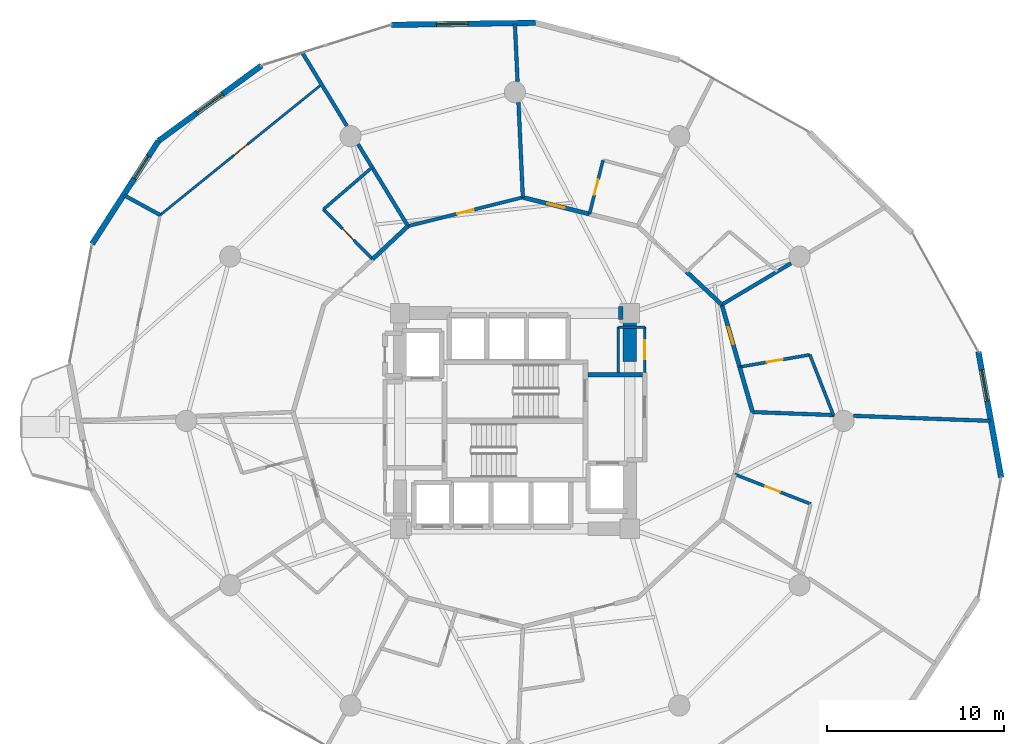
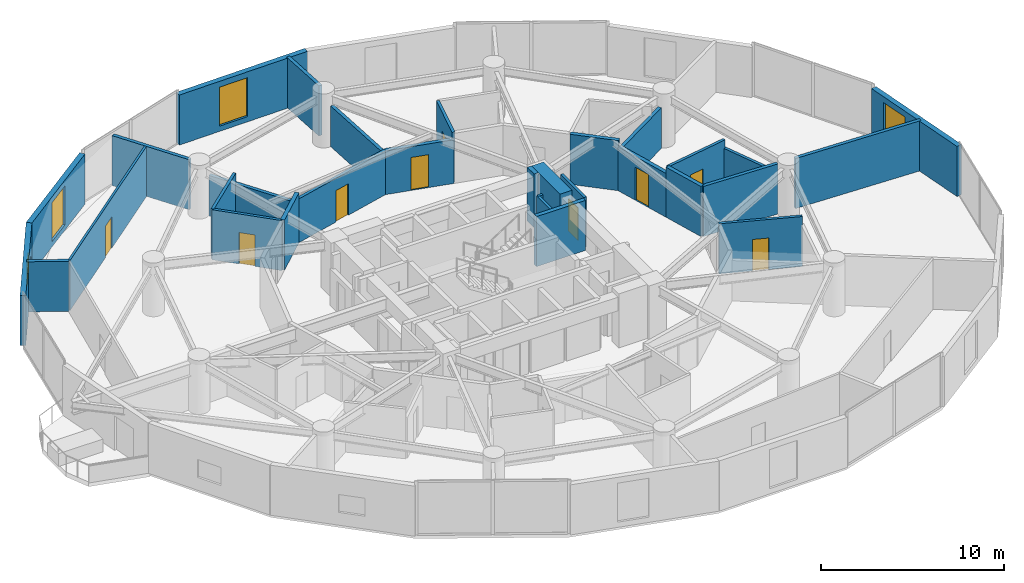
# One storey, part 19 of 22: 31 walls, 9 doors, 4 windows, 13 openings.
"""IFC4 building model written with IfcOpenShell, lengths in metres."""

import ifcopenshell
import ifcopenshell.guid

model = None  # the IFC model being written
_history = None  # IfcOwnerHistory: only IFC2X3 demands one
_inside = {}  # id of a spatial element -> (the spatial element, [elements in it])
_under = {}  # id of a project, library or spatial element -> (it, [spatial elements below it])
_declared = {}  # id of a project -> (the project, [libraries it declares])
_typed = {}  # id of a type object -> (the type object, [elements of that type])
_made_of = {}  # id of a material, layer set ... -> (it, [elements and type objects made of it])


def new_model(schema):
    """Start an empty IFC model of exactly this schema.

    Asked for "IFC4X3", IfcOpenShell would pick the latest addendum, in which some entities
    have other attributes; the version numbers below select the first issue.
    IFC2X3 requires an IfcOwnerHistory on every rooted entity: one is made here for all.
    """
    global model, _history
    if schema == "IFC4X3":
        model = ifcopenshell.file(schema_version=(4, 3, 0, 0))
    else:
        model = ifcopenshell.file(schema=schema)
    _inside.clear()
    _under.clear()
    _declared.clear()
    _typed.clear()
    _made_of.clear()
    _history = None
    if model.schema == "IFC2X3":
        org = make("IfcOrganization", Name="unknown")
        user = make(
            "IfcPersonAndOrganization",
            ThePerson=make("IfcPerson", FamilyName="unknown"),
            TheOrganization=org,
        )
        app = make(
            "IfcApplication",
            ApplicationDeveloper=org,
            Version="unknown",
            ApplicationFullName="unknown",
            ApplicationIdentifier="unknown",
        )
        _history = make(
            "IfcOwnerHistory",
            OwningUser=user,
            OwningApplication=app,
            ChangeAction="ADDED",
            CreationDate=0,
        )
    return model


def make(cls, **values):
    """One entity of the class cls with the attributes given. An attribute that is None is left unset."""
    return model.create_entity(
        cls, **{name: value for name, value in values.items() if value is not None}
    )


def rooted(cls, **values):
    """An entity with a GlobalId (a new one), such as an element, a storey or a relation."""
    return make(cls, GlobalId=ifcopenshell.guid.new(), OwnerHistory=_history, **values)


def si_unit(unit_type, name, prefix=None):
    """IfcSIUnit, for example si_unit("LENGTHUNIT", "METRE", prefix="MILLI")."""
    return make("IfcSIUnit", UnitType=unit_type, Prefix=prefix, Name=name)


def assignment(units):
    """IfcUnitAssignment: the units of a project."""
    return None if units is None else make("IfcUnitAssignment", Units=units)


def point(xyz):
    """IfcCartesianPoint."""
    return None if xyz is None else make("IfcCartesianPoint", Coordinates=xyz)


def direction(xyz):
    """IfcDirection."""
    return None if xyz is None else make("IfcDirection", DirectionRatios=xyz)


def frame(location, z_axis=None, x_axis=None):
    """IfcAxis2Placement3D, a coordinate frame: its origin and axes. An axis left out is left unset."""
    return make(
        "IfcAxis2Placement3D",
        Location=point(location),
        Axis=direction(z_axis),
        RefDirection=direction(x_axis),
    )


def frame_2d(location, x_axis=None):
    """IfcAxis2Placement2D, a coordinate frame in the plane: its origin and x axis."""
    return make(
        "IfcAxis2Placement2D", Location=point(location), RefDirection=direction(x_axis)
    )


def origin():
    """The frame at (0, 0, 0) with its axes left unset."""
    return frame((0.0, 0.0, 0.0))


def place(relative_to, where):
    """IfcLocalPlacement: puts the frame where relative to a parent placement (None: the world)."""
    return make(
        "IfcLocalPlacement", PlacementRelTo=relative_to, RelativePlacement=where
    )


def context(
    kind, dimensions, precision=None, world=None, true_north=None, identifier=None
):
    """IfcGeometricRepresentationContext, for example the 3D "Model" context."""
    return make(
        "IfcGeometricRepresentationContext",
        ContextIdentifier=identifier,
        ContextType=kind,
        CoordinateSpaceDimension=dimensions,
        Precision=precision,
        WorldCoordinateSystem=world,
        TrueNorth=true_north,
    )


def subcontext(parent, identifier, kind, view, scale=None):
    """IfcGeometricRepresentationSubContext, for example "Body" below "Model"."""
    return make(
        "IfcGeometricRepresentationSubContext",
        ContextIdentifier=identifier,
        ContextType=kind,
        ParentContext=parent,
        TargetScale=scale,
        TargetView=view,
    )


def project(units=None, contexts=None):
    """IfcProject with its units and contexts."""
    return rooted(
        "IfcProject",
        Name="project",
        RepresentationContexts=contexts,
        UnitsInContext=assignment(units),
    )


def spatial(cls, under=None, at=None, **own):
    """A site, building, storey or space (cls), placed at a placement, below another one or the project."""
    s = rooted(cls, ObjectPlacement=at, **own)
    if under is not None:
        _under.setdefault(under.id(), (under, []))[1].append(s)
    return s


def profile(cls, at=None, kind="AREA", **sizes):
    """A parametric profile (cls). Its sizes go by their IFC names, for example OverallWidth=200.0."""
    return make(cls, ProfileType=kind, Position=at, **sizes)


def rectangle(**sizes):
    """IfcRectangleProfileDef."""
    return profile("IfcRectangleProfileDef", **sizes)


def extrude(swept, where, along, depth):
    """IfcExtrudedAreaSolid: the profile swept, set in the frame where, extruded along a direction by depth."""
    return make(
        "IfcExtrudedAreaSolid",
        SweptArea=swept,
        Position=where,
        ExtrudedDirection=direction(along),
        Depth=depth,
    )


def shape(context_of_items, identifier, shape_type, items):
    """IfcShapeRepresentation: the items that make up one representation, for example the "Body"."""
    return make(
        "IfcShapeRepresentation",
        ContextOfItems=context_of_items,
        RepresentationIdentifier=identifier,
        RepresentationType=shape_type,
        Items=items,
    )


def material(Name=None, Category=None):
    """IfcMaterial."""
    return make("IfcMaterial", Name=Name, Category=Category)


def layer(
    of_material, thickness, ventilated=None, Name=None, Category=None, Priority=None
):
    """IfcMaterialLayer: one layer of a wall or slab, of a material (None: an air gap)."""
    return make(
        "IfcMaterialLayer",
        Material=of_material,
        LayerThickness=thickness,
        IsVentilated=ventilated,
        Name=Name,
        Category=Category,
        Priority=Priority,
    )


def layer_set(layers, Name=None):
    """IfcMaterialLayerSet."""
    return make("IfcMaterialLayerSet", MaterialLayers=layers, LayerSetName=Name)


def made_of(thing, what):
    """Note that an element or type object is made of a material, layer set ...; save() writes the relation."""
    if what is not None:
        _made_of.setdefault(what.id(), (what, []))[1].append(thing)
    return thing


def type_object(cls, material=None, **own):
    """A type object (cls), such as IfcWallType, which elements share."""
    return made_of(rooted(cls, **own), material)


def element(
    cls,
    number,
    at=None,
    inside=None,
    cuts=None,
    type_object=None,
    material=None,
    context=None,
    identifier="Body",
    shape_type=None,
    held_by="IfcProductDefinitionShape",
    body=None,
    shapes=None,
    **own,
):
    """One element of the class cls, such as IfcWall. Its Tag is "e" and its number.

    at: its placement. inside: the storey or other place that contains it. cuts: it is an
    opening in that element (IfcRelVoidsElement). A single representation is given by context,
    identifier, shape_type and body (its items); several are given by shapes. held_by: the class
    of the entity that holds the representations. save() writes the other relations.
    """
    e = rooted(cls, Tag="e%d" % number, ObjectPlacement=at, **own)
    if body is not None:
        shapes = [shape(context, identifier, shape_type, body)]
    if shapes is not None:
        e.Representation = make(held_by, Representations=shapes)
    if inside is not None:
        _inside.setdefault(inside.id(), (inside, []))[1].append(e)
    if cuts is not None:
        rooted(
            "IfcRelVoidsElement", RelatingBuildingElement=cuts, RelatedOpeningElement=e
        )
    if type_object is not None:
        _typed.setdefault(type_object.id(), (type_object, []))[1].append(e)
    return made_of(e, material)


def fill(opening, filler):
    """IfcRelFillsElement: the door or window that sits in an opening."""
    return rooted(
        "IfcRelFillsElement",
        RelatingOpeningElement=opening,
        RelatedBuildingElement=filler,
    )


def aggregate(whole, parts):
    """IfcRelAggregates: a whole, such as a stair, and the parts it consists of."""
    return rooted("IfcRelAggregates", RelatingObject=whole, RelatedObjects=parts)


def save(model, path):
    """Write the relations noted so far, then the file.

    IfcRelAggregates (storeys below a building ...), IfcRelContainedInSpatialStructure (elements
    in a storey), IfcRelDefinesByType, IfcRelAssociatesMaterial and IfcRelDeclares: one each for
    every whole, place, type object, material and project.
    """
    for whole, parts in _under.values():
        aggregate(whole, parts)
    for where, things in _inside.values():
        rooted(
            "IfcRelContainedInSpatialStructure",
            RelatedElements=things,
            RelatingStructure=where,
        )
    for kind, things in _typed.values():
        rooted("IfcRelDefinesByType", RelatedObjects=things, RelatingType=kind)
    for what, things in _made_of.values():
        rooted("IfcRelAssociatesMaterial", RelatedObjects=things, RelatingMaterial=what)
    for by, libraries in _declared.values():
        rooted("IfcRelDeclares", RelatingContext=by, RelatedDefinitions=libraries)
    model.write(path)


model = new_model("IFC4")

# Units and contexts
model_context = context("Model", 3, precision=1e-05, world=origin(), true_north=direction((0.0, 1.0)))
body_context = subcontext(model_context, "Body", "Model", "MODEL_VIEW")
ifc_project = project(units=[si_unit("LENGTHUNIT", "METRE"), si_unit("AREAUNIT", "SQUARE_METRE"), si_unit("VOLUMEUNIT", "CUBIC_METRE"), si_unit("PLANEANGLEUNIT", "RADIAN"), si_unit("MASSUNIT", "GRAM", prefix="KILO")], contexts=[model_context])

# Site, building, storey
site_placement = place(None, origin())
site = spatial("IfcSite", under=ifc_project, at=site_placement, CompositionType="ELEMENT")
building_placement = place(site_placement, origin())
building = spatial("IfcBuilding", under=site, at=building_placement, Name="Solvirekh Grand Hotel", CompositionType="ELEMENT")
storey_placement = place(building_placement, frame((0.0, 0.0, 78.800048828125)))
storey = spatial("IfcBuildingStorey", under=building, at=storey_placement, Name="L19", CompositionType="ELEMENT", Elevation=78.800048828125)

# Walls
ifc_material_1 = material(Name="Concrete C60/75", Category="concrete")
ifc_layer_1 = layer(ifc_material_1, 0.75)
ifc_layer_set_1 = layer_set([ifc_layer_1], Name="Concrete C60/75")
wall_type_1 = type_object("IfcWallType", Name="CoreWall_RC750", PredefinedType="SHEAR", material=ifc_layer_set_1)
wall_1_placement = place(storey_placement, frame((5.85009765625, 6.10009765625, 0.0), z_axis=(0.0, 0.0, 1.0), x_axis=(1.0, 0.0, 0.0)))
element("IfcWall", 1, at=wall_1_placement, inside=storey, type_object=wall_type_1, Name="L19 core corner shear wall NE-N", PredefinedType="SHEAR", context=body_context, shape_type="SweptSolid", body=[
    extrude(rectangle(XDim=0.27490234375, YDim=0.75, at=frame_2d((0.137451171875, 0.0))), origin(), (0.0, 0.0, 1.0), 3.599853515625),
])
wall_2_placement = place(storey_placement, frame((6.5, 3.35009765625, 0.0), z_axis=(0.0, 0.0, 1.0), x_axis=(0.0, 1.0, 0.0)))
element("IfcWall", 2, at=wall_2_placement, inside=storey, type_object=wall_type_1, Name="L19 core corner shear wall EN-E", PredefinedType="SHEAR", context=body_context, shape_type="SweptSolid", body=[
    extrude(rectangle(XDim=3.125, YDim=0.75, at=frame_2d((1.5625, 0.0))), origin(), (0.0, 0.0, 1.0), 3.599853515625),
])

# Wall, opening, window
ifc_material_2 = material(Name="Precast concrete C45/55", Category="concrete")
ifc_layer_2 = layer(ifc_material_2, 0.320068359375)
ifc_layer_set_2 = layer_set([ifc_layer_2], Name="Precast concrete C45/55")
wall_type_2 = type_object("IfcWallType", Name="ExtLobbyWall_RC320", PredefinedType="SOLIDWALL", material=ifc_layer_set_2)
wall_3_placement = place(storey_placement, frame((26.23095703125, 3.912109375, 0.0), z_axis=(0.0, 0.0, 1.0), x_axis=(0.178065653106, -0.984018609165, 0.0)))
wall_3 = element("IfcWall", 3, at=wall_3_placement, inside=storey, type_object=wall_type_2, Name="L19 exterior structural wall chord 2", PredefinedType="SOLIDWALL", context=body_context, shape_type="SweptSolid", body=[
    extrude(rectangle(XDim=7.23388671875, YDim=0.320068359375, at=frame_2d((3.616943359375, 0.0))), origin(), (0.0, 0.0, 1.0), 3.33984375),
])
opening_1_placement = place(wall_3_placement, frame((1.033935546875, 0.0, 0.35009765625)))
opening_1 = element("IfcOpeningElement", 4, at=opening_1_placement, cuts=wall_3, Name="Opening W02", PredefinedType="OPENING", context=body_context, shape_type="SweptSolid", body=[
    extrude(rectangle(XDim=1.800048828125, YDim=2.60009765625, at=frame_2d((0.89990234375, 1.300048828125))), frame((0.0, 0.169921875, 0.0), z_axis=(0.0, -1.0, 0.0), x_axis=(1.0, 0.0, 0.0)), (0.0, 0.0, 1.0), 0.340087890625),
])
ifc_material_3 = material(Name="Low-E Tinted Bronze Laminated Glass", Category="aluminium")
window_type_1 = type_object("IfcWindowType", Name="Win_LobbyExt_1800X2600", PartitioningType="SINGLE_PANEL", PredefinedType="WINDOW", material=ifc_material_3)
window_1_placement = place(opening_1_placement, origin())
window_1 = element("IfcWindow", 5, at=window_1_placement, inside=storey, type_object=window_type_1, Name="L19 panoramic bronze-framed window 2", OverallHeight=2.60009765625, OverallWidth=1.800048828125, PartitioningType="SINGLE_PANEL", PredefinedType="WINDOW", context=body_context, shape_type="SweptSolid", body=[
    extrude(rectangle(XDim=1.800048828125, YDim=2.60009765625, at=frame_2d((0.89990234375, 1.300048828125))), frame((0.0, 0.030029296875, 0.0), z_axis=(0.0, -1.0, 0.0), x_axis=(1.0, 0.0, 0.0)), (0.0, 0.0, 1.0), 0.06005859375),
])
fill(opening_1, window_1)

wall_4_placement = place(storey_placement, frame((-6.990966796875, 22.4140625, 0.0), z_axis=(0.0, 0.0, 1.0), x_axis=(0.999907508711, 0.013600515578, 0.0)))
wall_4 = element("IfcWall", 6, at=wall_4_placement, inside=storey, type_object=wall_type_2, Name="L19 exterior structural wall chord 7", PredefinedType="SOLIDWALL", context=body_context, shape_type="SweptSolid", body=[
    extrude(rectangle(XDim=8.149658203125, YDim=0.320068359375, at=frame_2d((4.07470703125, 0.0))), origin(), (0.0, 0.0, 1.0), 3.33984375),
])
opening_2_placement = place(wall_4_placement, frame((2.5458984375, 0.0, 0.35009765625)))
opening_2 = element("IfcOpeningElement", 7, at=opening_2_placement, cuts=wall_4, Name="Opening W02", PredefinedType="OPENING", context=body_context, shape_type="SweptSolid", body=[
    extrude(rectangle(XDim=1.800048828125, YDim=2.60009765625, at=frame_2d((0.89990234375, 1.300048828125))), frame((0.0, 0.169921875, 0.0), z_axis=(0.0, -1.0, 0.0), x_axis=(1.0, 0.0, 0.0)), (0.0, 0.0, 1.0), 0.340087890625),
])
window_2_placement = place(opening_2_placement, origin())
window_2 = element("IfcWindow", 8, at=window_2_placement, inside=storey, type_object=window_type_1, Name="L19 panoramic bronze-framed window 7", OverallHeight=2.60009765625, OverallWidth=1.800048828125, PartitioningType="SINGLE_PANEL", PredefinedType="WINDOW", context=body_context, shape_type="SweptSolid", body=[
    extrude(rectangle(XDim=1.800048828125, YDim=2.60009765625, at=frame_2d((0.89990234375, 1.300048828125))), frame((0.0, 0.030029296875, 0.0), z_axis=(0.0, -1.0, 0.0), x_axis=(1.0, 0.0, 0.0)), (0.0, 0.0, 1.0), 0.06005859375),
])
fill(opening_2, window_2)

wall_5_placement = place(storey_placement, frame((-20.178955078125, 15.8330078125, 0.0), z_axis=(0.0, 0.0, 1.0), x_axis=(0.806720320821, 0.59093343447, 0.0)))
wall_5 = element("IfcWall", 9, at=wall_5_placement, inside=storey, type_object=wall_type_2, Name="L19 exterior structural wall chord 9", PredefinedType="SOLIDWALL", context=body_context, shape_type="SweptSolid", body=[
    extrude(rectangle(XDim=7.234130859375, YDim=0.320068359375, at=frame_2d((3.6171875, 0.0))), origin(), (0.0, 0.0, 1.0), 3.33984375),
])
opening_3_placement = place(wall_5_placement, frame((2.717041015625, 0.0, 0.35009765625)))
opening_3 = element("IfcOpeningElement", 10, at=opening_3_placement, cuts=wall_5, Name="Opening W02", PredefinedType="OPENING", context=body_context, shape_type="SweptSolid", body=[
    extrude(rectangle(XDim=1.800048828125, YDim=2.60009765625, at=frame_2d((0.89990234375, 1.300048828125))), frame((0.0, 0.169921875, 0.0), z_axis=(0.0, -1.0, 0.0), x_axis=(1.0, 0.0, 0.0)), (0.0, 0.0, 1.0), 0.340087890625),
])
window_3_placement = place(opening_3_placement, origin())
window_3 = element("IfcWindow", 11, at=window_3_placement, inside=storey, type_object=window_type_1, Name="L19 panoramic bronze-framed window 9", OverallHeight=2.60009765625, OverallWidth=1.800048828125, PartitioningType="SINGLE_PANEL", PredefinedType="WINDOW", context=body_context, shape_type="SweptSolid", body=[
    extrude(rectangle(XDim=1.800048828125, YDim=2.60009765625, at=frame_2d((0.89990234375, 1.300048828125))), frame((0.0, 0.030029296875, 0.0), z_axis=(0.0, -1.0, 0.0), x_axis=(1.0, 0.0, 0.0)), (0.0, 0.0, 1.0), 0.06005859375),
])
fill(opening_3, window_3)

wall_6_placement = place(storey_placement, frame((-23.926025390625, 10.009033203125, 0.0), z_axis=(0.0, 0.0, 1.0), x_axis=(0.541072927061, 0.840975675987, 0.0)))
wall_6 = element("IfcWall", 12, at=wall_6_placement, inside=storey, type_object=wall_type_2, Name="L19 cantilevered deck support wall chord 10", PredefinedType="SOLIDWALL", context=body_context, shape_type="SweptSolid", body=[
    extrude(rectangle(XDim=6.92529296875, YDim=0.320068359375, at=frame_2d((3.462646484375, 0.0))), origin(), (0.0, 0.0, 1.0), 3.33984375),
])
opening_4_placement = place(wall_6_placement, frame((4.4130859375, 0.0, 0.85009765625)))
opening_4 = element("IfcOpeningElement", 13, at=opening_4_placement, cuts=wall_6, Name="Opening W05", PredefinedType="OPENING", context=body_context, shape_type="SweptSolid", body=[
    extrude(rectangle(XDim=1.5, YDim=1.199951171875, at=frame_2d((0.75, 0.60009765625))), frame((0.0, 0.169921875, 0.0), z_axis=(0.0, -1.0, 0.0), x_axis=(1.0, 0.0, 0.0)), (0.0, 0.0, 1.0), 0.340087890625),
])
window_type_2 = type_object("IfcWindowType", Name="Win_PlantVent_1500X1200", PartitioningType="SINGLE_PANEL", PredefinedType="WINDOW", material=ifc_material_3)
window_4_placement = place(opening_4_placement, origin())
window_4 = element("IfcWindow", 14, at=window_4_placement, inside=storey, type_object=window_type_2, Name="L19 bronze-framed vision ribbon window 10", OverallHeight=1.199951171875, OverallWidth=1.5, PartitioningType="SINGLE_PANEL", PredefinedType="WINDOW", context=body_context, shape_type="SweptSolid", body=[
    extrude(rectangle(XDim=1.5, YDim=1.199951171875, at=frame_2d((0.75, 0.60009765625))), frame((0.0, 0.030029296875, 0.0), z_axis=(0.0, -1.0, 0.0), x_axis=(1.0, 0.0, 0.0)), (0.0, 0.0, 1.0), 0.06005859375),
])
fill(opening_4, window_4)

# Wall, opening, door
ifc_material_4 = material(Name="Acoustic Gypsum Partition Assembly")
ifc_layer_3 = layer(ifc_material_4, 0.1650390625)
ifc_layer_set_3 = layer_set([ifc_layer_3], Name="Acoustic Gypsum Partition Assembly")
wall_type_3 = type_object("IfcWallType", Name="Part_BOH_165", PredefinedType="PARTITIONING", material=ifc_layer_set_3)
wall_7_placement = place(storey_placement, frame((7.35009765625, 2.75, 0.0), z_axis=(0.0, 0.0, 1.0), x_axis=(0.0, 1.0, 0.0)))
wall_7 = element("IfcWall", 15, at=wall_7_placement, inside=storey, type_object=wall_type_3, Name="L19 L19 Telecom Distribution Room wall 2", PredefinedType="PARTITIONING", context=body_context, shape_type="SweptSolid", body=[
    extrude(rectangle(XDim=2.550048828125, YDim=0.1650390625, at=frame_2d((1.27490234375, 0.0))), origin(), (0.0, 0.0, 1.0), 3.33984375),
])
opening_5_placement = place(wall_7_placement, frame((0.75, 0.0, 0.0)))
opening_5 = element("IfcOpeningElement", 16, at=opening_5_placement, cuts=wall_7, Name="Opening D12", PredefinedType="OPENING", context=body_context, shape_type="SweptSolid", body=[
    extrude(rectangle(XDim=1.050048828125, YDim=2.14990234375, at=frame_2d((0.52490234375, 1.074951171875))), frame((0.0, 0.092529296875, 0.0), z_axis=(0.0, -1.0, 0.0), x_axis=(1.0, 0.0, 0.0)), (0.0, 0.0, 1.0), 0.18505859375),
])
ifc_material_5 = material(Name="Fire-Rated Steel Door Assembly", Category="steel")
door_type_1 = type_object("IfcDoorType", Name="Door_PlantBOH_1050X2150", OperationType="NOTDEFINED", PredefinedType="DOOR", material=ifc_material_5)
door_1_placement = place(opening_5_placement, origin())
door_1 = element("IfcDoor", 17, at=door_1_placement, inside=storey, type_object=door_type_1, Name="L19 L19 Telecom Distribution Room door", OperationType="SINGLE_SWING_RIGHT", OverallHeight=2.14990234375, OverallWidth=1.050048828125, PredefinedType="DOOR", context=body_context, shape_type="SweptSolid", body=[
    extrude(rectangle(XDim=1.050048828125, YDim=2.14990234375, at=frame_2d((0.52490234375, 1.074951171875))), frame((0.0, 0.02490234375, 0.0), z_axis=(0.0, -1.0, 0.0), x_axis=(1.0, 0.0, 0.0)), (0.0, 0.0, 1.0), 0.050048828125),
])
fill(opening_5, door_1)

# Walls
wall_8_placement = place(storey_placement, frame((7.35009765625, 5.300048828125, 0.0), z_axis=(0.0, 0.0, 1.0), x_axis=(-1.0, 0.0, 0.0)))
element("IfcWall", 18, at=wall_8_placement, inside=storey, type_object=wall_type_3, Name="L19 L19 Telecom Distribution Room wall 3", PredefinedType="PARTITIONING", context=body_context, shape_type="SweptSolid", body=[
    extrude(rectangle(XDim=1.5, YDim=0.1650390625, at=frame_2d((0.75, 0.0))), origin(), (0.0, 0.0, 1.0), 2.425048828125),
])
wall_9_placement = place(storey_placement, frame((5.85009765625, 5.300048828125, 0.0), z_axis=(0.0, 0.0, 1.0), x_axis=(0.0, -1.0, 0.0)))
element("IfcWall", 19, at=wall_9_placement, inside=storey, type_object=wall_type_3, Name="L19 L19 Telecom Distribution Room wall 4", PredefinedType="PARTITIONING", context=body_context, shape_type="SweptSolid", body=[
    extrude(rectangle(XDim=2.550048828125, YDim=0.1650390625, at=frame_2d((1.27490234375, 0.0))), origin(), (0.0, 0.0, 1.0), 2.425048828125),
])
ifc_layer_4 = layer(ifc_material_4, 0.239990234375)
ifc_layer_set_4 = layer_set([ifc_layer_4], Name="Acoustic Gypsum Partition Assembly")
wall_type_4 = type_object("IfcWallType", Name="Part_Corridor_240", PredefinedType="PARTITIONING", material=ifc_layer_set_4)
wall_10_placement = place(storey_placement, frame((-6.050048828125, 11.02197265625, 0.0), z_axis=(0.0, 0.0, 1.0), x_axis=(-0.730494026404, -0.682919085535, 0.0)))
element("IfcWall", 20, at=wall_10_placement, inside=storey, type_object=wall_type_4, Name="L19 En-suite Bathroom 2101 corridor backing wall", PredefinedType="PARTITIONING", context=body_context, shape_type="SweptSolid", body=[
    extrude(rectangle(XDim=2.735107421875, YDim=0.239990234375, at=frame_2d((1.36767578125, 0.0))), origin(), (0.0, 0.0, 1.0), 3.33984375),
])
wall_11_placement = place(storey_placement, frame((13.449951171875, 0.5, 0.0), z_axis=(0.0, 0.0, 1.0), x_axis=(-0.275790140823, 0.961217872402, 0.0)))
element("IfcWall", 21, at=wall_11_placement, inside=storey, type_object=wall_type_4, Name="L19 En-suite Bathroom 2107 corridor backing wall", PredefinedType="PARTITIONING", context=body_context, shape_type="SweptSolid", body=[
    extrude(rectangle(XDim=2.654052734375, YDim=0.239990234375, at=frame_2d((1.3271484375, 0.0))), origin(), (0.0, 0.0, 1.0), 3.33984375),
])

# Wall, opening, door
wall_12_placement = place(storey_placement, frame((12.718017578125, 3.051025390625, 0.0), z_axis=(0.0, 0.0, 1.0), x_axis=(-0.275521481409, 0.961294914832, 0.0)))
wall_12 = element("IfcWall", 22, at=wall_12_placement, inside=storey, type_object=wall_type_4, Name="L19 Deluxe Guestroom 2107 entrance wall", PredefinedType="PARTITIONING", context=body_context, shape_type="SweptSolid", body=[
    extrude(rectangle(XDim=3.665771484375, YDim=0.239990234375, at=frame_2d((1.8330078125, 0.0))), origin(), (0.0, 0.0, 1.0), 2.91796875),
])
opening_6_placement = place(wall_12_placement, frame((1.3330078125, 0.0, 0.0)))
opening_6 = element("IfcOpeningElement", 23, at=opening_6_placement, cuts=wall_12, Name="Opening D07", PredefinedType="OPENING", context=body_context, shape_type="SweptSolid", body=[
    extrude(rectangle(XDim=1.0, YDim=2.199951171875, at=frame_2d((0.5, 1.10009765625))), frame((0.0, 0.1298828125, 0.0), z_axis=(0.0, -1.0, 0.0), x_axis=(1.0, 0.0, 0.0)), (0.0, 0.0, 1.0), 0.260009765625),
])
door_type_2 = type_object("IfcDoorType", Name="Door_GuestEntry_1000X2200", OperationType="NOTDEFINED", PredefinedType="DOOR", material=ifc_material_5)
door_2_placement = place(opening_6_placement, origin())
door_2 = element("IfcDoor", 24, at=door_2_placement, inside=storey, type_object=door_type_2, Name="L19 Deluxe Guestroom 2107 entrance door", OperationType="SINGLE_SWING_RIGHT", OverallHeight=2.199951171875, OverallWidth=1.0, PredefinedType="DOOR", context=body_context, shape_type="SweptSolid", body=[
    extrude(rectangle(XDim=1.0, YDim=2.199951171875, at=frame_2d((0.5, 1.10009765625))), frame((0.0, 0.02490234375, 0.0), z_axis=(0.0, -1.0, 0.0), x_axis=(1.0, 0.0, 0.0)), (0.0, 0.0, 1.0), 0.050048828125),
])
fill(opening_6, door_2)

# Wall
wall_13_placement = place(storey_placement, frame((11.7080078125, 6.574951171875, 0.0), z_axis=(0.0, 0.0, 1.0), x_axis=(-0.730449499178, 0.682966711597, 0.0)))
element("IfcWall", 25, at=wall_13_placement, inside=storey, type_object=wall_type_4, Name="L19 En-suite Bathroom 2108 corridor backing wall", PredefinedType="PARTITIONING", context=body_context, shape_type="SweptSolid", body=[
    extrude(rectangle(XDim=2.7353515625, YDim=0.239990234375, at=frame_2d((1.36767578125, 0.0))), origin(), (0.0, 0.0, 1.0), 3.33984375),
])

# Wall, opening, door
wall_14_placement = place(storey_placement, frame((4.219970703125, 11.7060546875, 0.0), z_axis=(0.0, 0.0, 1.0), x_axis=(-0.970061149619, 0.24286079552, 0.0)))
wall_14 = element("IfcWall", 26, at=wall_14_placement, inside=storey, type_object=wall_type_4, Name="L19 Deluxe Guestroom 2109 entrance wall", PredefinedType="PARTITIONING", context=body_context, shape_type="SweptSolid", body=[
    extrude(rectangle(XDim=3.886474609375, YDim=0.239990234375, at=frame_2d((1.943359375, 0.0))), origin(), (0.0, 0.0, 1.0), 2.91796875),
])
opening_7_placement = place(wall_14_placement, frame((1.443115234375, 0.0, 0.0)))
opening_7 = element("IfcOpeningElement", 27, at=opening_7_placement, cuts=wall_14, Name="Opening D07", PredefinedType="OPENING", context=body_context, shape_type="SweptSolid", body=[
    extrude(rectangle(XDim=1.0, YDim=2.199951171875, at=frame_2d((0.5, 1.10009765625))), frame((0.0, 0.1298828125, 0.0), z_axis=(0.0, -1.0, 0.0), x_axis=(1.0, 0.0, 0.0)), (0.0, 0.0, 1.0), 0.260009765625),
])
door_3_placement = place(opening_7_placement, origin())
door_3 = element("IfcDoor", 28, at=door_3_placement, inside=storey, type_object=door_type_2, Name="L19 Deluxe Guestroom 2109 entrance door", OperationType="SINGLE_SWING_RIGHT", OverallHeight=2.199951171875, OverallWidth=1.0, PredefinedType="DOOR", context=body_context, shape_type="SweptSolid", body=[
    extrude(rectangle(XDim=1.0, YDim=2.199951171875, at=frame_2d((0.5, 1.10009765625))), frame((0.0, 0.02490234375, 0.0), z_axis=(0.0, -1.0, 0.0), x_axis=(1.0, 0.0, 0.0)), (0.0, 0.0, 1.0), 0.050048828125),
])
fill(opening_7, door_3)

ifc_layer_5 = layer(ifc_material_4, 0.18994140625)
ifc_layer_set_5 = layer_set([ifc_layer_5], Name="Acoustic Gypsum Partition Assembly")
wall_type_5 = type_object("IfcWallType", Name="Part_GuestDemise_190", PredefinedType="PARTITIONING", material=ifc_layer_set_5)
wall_15_placement = place(storey_placement, frame((0.449951171875, 12.64990234375, 0.0), z_axis=(0.0, 0.0, 1.0), x_axis=(-0.970039538206, -0.242947101891, 0.0)))
wall_15 = element("IfcWall", 29, at=wall_15_placement, inside=storey, type_object=wall_type_5, Name="L19 L19 Constructivist Reading Lounge entrance wall", PredefinedType="PARTITIONING", context=body_context, shape_type="SweptSolid", body=[
    extrude(rectangle(XDim=6.70068359375, YDim=0.18994140625, at=frame_2d((3.350341796875, 0.0))), origin(), (0.0, 0.0, 1.0), 2.91796875),
])
opening_8_placement = place(wall_15_placement, frame((2.875, 0.0, 0.0)))
opening_8 = element("IfcOpeningElement", 30, at=opening_8_placement, cuts=wall_15, Name="Opening D10", PredefinedType="OPENING", context=body_context, shape_type="SweptSolid", body=[
    extrude(rectangle(XDim=0.949951171875, YDim=2.10009765625, at=frame_2d((0.47509765625, 1.050048828125))), frame((0.0, 0.10498046875, 0.0), z_axis=(0.0, -1.0, 0.0), x_axis=(1.0, 0.0, 0.0)), (0.0, 0.0, 1.0), 0.2099609375),
])
ifc_material_6 = material(Name="Anodized Bronze Aluminium 6063-T6", Category="aluminium")
door_type_3 = type_object("IfcDoorType", Name="Door_RoomInt_950X2100", OperationType="NOTDEFINED", PredefinedType="DOOR", material=ifc_material_6)
door_4_placement = place(opening_8_placement, origin())
door_4 = element("IfcDoor", 31, at=door_4_placement, inside=storey, type_object=door_type_3, Name="L19 L19 Constructivist Reading Lounge entrance door", OperationType="SINGLE_SWING_LEFT", OverallHeight=2.10009765625, OverallWidth=0.949951171875, PredefinedType="DOOR", context=body_context, shape_type="SweptSolid", body=[
    extrude(rectangle(XDim=0.949951171875, YDim=2.10009765625, at=frame_2d((0.47509765625, 1.050048828125))), frame((0.0, 0.02490234375, 0.0), z_axis=(0.0, -1.0, 0.0), x_axis=(1.0, 0.0, 0.0)), (0.0, 0.0, 1.0), 0.050048828125),
])
fill(opening_8, door_4)

# Wall
ifc_layer_6 = layer(ifc_material_4, 0.260009765625)
ifc_layer_set_6 = layer_set([ifc_layer_6], Name="Acoustic Gypsum Partition Assembly")
wall_type_6 = type_object("IfcWallType", Name="Part_LobbyFF_260", PredefinedType="PARTITIONING", material=ifc_layer_set_6)
wall_16_placement = place(storey_placement, frame((4.1298828125, 2.60009765625, 0.0), z_axis=(0.0, 0.0, 1.0), x_axis=(1.0, 0.0, 0.0)))
element("IfcWall", 32, at=wall_16_placement, inside=storey, type_object=wall_type_6, Name="L19 east firefighting lobby north partition", PredefinedType="PARTITIONING", context=body_context, shape_type="SweptSolid", body=[
    extrude(rectangle(XDim=3.09521484375, YDim=0.260009765625, at=frame_2d((1.547607421875, 0.0))), origin(), (0.0, 0.0, 1.0), 3.33984375),
])

# Wall, opening, door
ifc_layer_7 = layer(ifc_material_4, 0.135009765625)
ifc_layer_set_7 = layer_set([ifc_layer_7], Name="Acoustic Gypsum Partition Assembly")
wall_type_7 = type_object("IfcWallType", Name="Part_RoomInt_135", PredefinedType="PARTITIONING", material=ifc_layer_set_7)
wall_17_placement = place(storey_placement, frame((-10.93603515625, 19.0390625, 0.0), z_axis=(0.0, 0.0, 1.0), x_axis=(-0.777513312779, -0.628866479033, 0.0)))
wall_17 = element("IfcWall", 33, at=wall_17_placement, inside=storey, type_object=wall_type_7, Name="L19 Executive Suite 2101 Living Room bedroom screen wall", PredefinedType="PARTITIONING", context=body_context, shape_type="SweptSolid", body=[
    extrude(rectangle(XDim=11.75146484375, YDim=0.135009765625, at=frame_2d((5.875732421875, 0.0))), origin(), (0.0, 0.0, 1.0), 3.33984375),
])
opening_9_placement = place(wall_17_placement, frame((5.40087890625, 0.0, 0.0)))
opening_9 = element("IfcOpeningElement", 34, at=opening_9_placement, cuts=wall_17, Name="Opening D10", PredefinedType="OPENING", context=body_context, shape_type="SweptSolid", body=[
    extrude(rectangle(XDim=0.949951171875, YDim=2.10009765625, at=frame_2d((0.47509765625, 1.050048828125))), frame((0.0, 0.07763671875, 0.0), z_axis=(0.0, -1.0, 0.0), x_axis=(1.0, 0.0, 0.0)), (0.0, 0.0, 1.0), 0.155029296875),
])
door_5_placement = place(opening_9_placement, origin())
door_5 = element("IfcDoor", 35, at=door_5_placement, inside=storey, type_object=door_type_3, Name="L19 Executive Suite 2101 Living Room master bedroom door", OperationType="SINGLE_SWING_LEFT", OverallHeight=2.10009765625, OverallWidth=0.949951171875, PredefinedType="DOOR", context=body_context, shape_type="SweptSolid", body=[
    extrude(rectangle(XDim=0.949951171875, YDim=2.10009765625, at=frame_2d((0.47509765625, 1.050048828125))), frame((0.0, 0.02490234375, 0.0), z_axis=(0.0, -1.0, 0.0), x_axis=(1.0, 0.0, 0.0)), (0.0, 0.0, 1.0), 0.050048828125),
])
fill(opening_9, door_5)

# Walls
ifc_layer_8 = layer(ifc_material_4, 0.2099609375)
ifc_layer_set_8 = layer_set([ifc_layer_8], Name="Acoustic Gypsum Partition Assembly")
wall_type_8 = type_object("IfcWallType", Name="Part_SuiteDemise_210", PredefinedType="PARTITIONING", material=ifc_layer_set_8)
wall_18_placement = place(storey_placement, frame((13.449951171875, 0.5, 0.0), z_axis=(0.0, 0.0, 1.0), x_axis=(0.999307950313, -0.037197048837, 0.0)))
element("IfcWall", 36, at=wall_18_placement, inside=storey, type_object=wall_type_8, Name="L19 suite radial wall 1 (A)", PredefinedType="PARTITIONING", context=body_context, shape_type="SweptSolid", body=[
    extrude(rectangle(XDim=4.627197265625, YDim=0.2099609375, at=frame_2d((2.3134765625, 0.0))), origin(), (0.0, 0.0, 1.0), 3.33984375),
])
wall_19_placement = place(storey_placement, frame((19.14892578125, 0.2880859375, 0.0), z_axis=(0.0, 0.0, 1.0), x_axis=(0.999309822295, -0.037146723485, 0.0)))
element("IfcWall", 37, at=wall_19_placement, inside=storey, type_object=wall_type_8, Name="L19 suite radial wall 1 (B)", PredefinedType="PARTITIONING", context=body_context, shape_type="SweptSolid", body=[
    extrude(rectangle(XDim=7.75537109375, YDim=0.2099609375, at=frame_2d((3.877685546875, 0.0))), origin(), (0.0, 0.0, 1.0), 3.33984375),
])
wall_20_placement = place(storey_placement, frame((11.7080078125, 6.574951171875, 0.0), z_axis=(0.0, 0.0, 1.0), x_axis=(0.858450301557, 0.512896753506, 0.0)))
element("IfcWall", 38, at=wall_20_placement, inside=storey, type_object=wall_type_8, Name="L19 suite radial wall 2 (A)", PredefinedType="PARTITIONING", context=body_context, shape_type="SweptSolid", body=[
    extrude(rectangle(XDim=4.560546875, YDim=0.2099609375, at=frame_2d((2.2802734375, 0.0))), origin(), (0.0, 0.0, 1.0), 2.7080078125),
])
wall_21_placement = place(storey_placement, frame((0.449951171875, 12.64990234375, 0.0), z_axis=(0.0, 0.0, 1.0), x_axis=(-0.045776762521, 0.998951694534, 0.0)))
element("IfcWall", 39, at=wall_21_placement, inside=storey, type_object=wall_type_8, Name="L19 suite radial wall 4 (A)", PredefinedType="PARTITIONING", context=body_context, shape_type="SweptSolid", body=[
    extrude(rectangle(XDim=5.37060546875, YDim=0.2099609375, at=frame_2d((2.685302734375, 0.0))), origin(), (0.0, 0.0, 1.0), 2.7080078125),
])
wall_22_placement = place(storey_placement, frame((0.14990234375, 19.201904296875, 0.0), z_axis=(0.0, 0.0, 1.0), x_axis=(-0.045834308794, 0.998949055827, 0.0)))
element("IfcWall", 40, at=wall_22_placement, inside=storey, type_object=wall_type_8, Name="L19 suite radial wall 4 (B)", PredefinedType="PARTITIONING", context=body_context, shape_type="SweptSolid", body=[
    extrude(rectangle(XDim=3.2705078125, YDim=0.2099609375, at=frame_2d((1.63525390625, 0.0))), origin(), (0.0, 0.0, 1.0), 3.33984375),
])
wall_23_placement = place(storey_placement, frame((-6.050048828125, 11.02197265625, 0.0), z_axis=(0.0, 0.0, 1.0), x_axis=(-0.520436280321, 0.85390050833, 0.0)))
element("IfcWall", 41, at=wall_23_placement, inside=storey, type_object=wall_type_8, Name="L19 suite radial wall 5 (A)", PredefinedType="PARTITIONING", context=body_context, shape_type="SweptSolid", body=[
    extrude(rectangle(XDim=5.427978515625, YDim=0.2099609375, at=frame_2d((2.7138671875, 0.0))), origin(), (0.0, 0.0, 1.0), 2.7080078125),
])
wall_24_placement = place(storey_placement, frame((-9.506103515625, 16.693115234375, 0.0), z_axis=(0.0, 0.0, 1.0), x_axis=(-0.52035281633, 0.853951372467, 0.0)))
element("IfcWall", 42, at=wall_24_placement, inside=storey, type_object=wall_type_8, Name="L19 suite radial wall 5 (B)", PredefinedType="PARTITIONING", context=body_context, shape_type="SweptSolid", body=[
    extrude(rectangle(XDim=4.80810546875, YDim=0.2099609375, at=frame_2d((2.404052734375, 0.0))), origin(), (0.0, 0.0, 1.0), 3.33984375),
])
wall_25_placement = place(storey_placement, frame((-20.072998046875, 11.64892578125, 0.0), z_axis=(0.0, 0.0, 1.0), x_axis=(-0.877061418116, 0.480378256015, 0.0)))
element("IfcWall", 43, at=wall_25_placement, inside=storey, type_object=wall_type_8, Name="L19 Executive Suite 2101 Living Room dividing partition 1", PredefinedType="PARTITIONING", context=body_context, shape_type="SweptSolid", body=[
    extrude(rectangle(XDim=2.319091796875, YDim=0.2099609375, at=frame_2d((1.15966796875, 0.0))), origin(), (0.0, 0.0, 1.0), 3.33984375),
])
ifc_layer_9 = layer(ifc_material_4, 0.175048828125)
ifc_layer_set_9 = layer_set([ifc_layer_9], Name="Acoustic Gypsum Partition Assembly")
wall_type_9 = type_object("IfcWallType", Name="Plumb_Ensuite_175", PredefinedType="PLUMBINGWALL", material=ifc_layer_set_9)
wall_26_placement = place(storey_placement, frame((-8.075927734375, 14.345947265625, 0.0), z_axis=(0.0, 0.0, 1.0), x_axis=(-0.757447652271, -0.652895898341, 0.0)))
element("IfcWall", 44, at=wall_26_placement, inside=storey, type_object=wall_type_9, Name="L19 En-suite Bathroom 2101 outer plumbing wall", PredefinedType="PLUMBINGWALL", context=body_context, shape_type="SweptSolid", body=[
    extrude(rectangle(XDim=3.64501953125, YDim=0.175048828125, at=frame_2d((1.822509765625, 0.0))), origin(), (0.0, 0.0, 1.0), 3.33984375),
])

# Wall, opening, door
wall_27_placement = place(storey_placement, frame((-8.048095703125, 9.154052734375, 0.0), z_axis=(0.0, 0.0, 1.0), x_axis=(-0.704172573675, 0.710028863135, 0.0)))
wall_27 = element("IfcWall", 45, at=wall_27_placement, inside=storey, type_object=wall_type_9, Name="L19 En-suite Bathroom 2101 entry plumbing wall", PredefinedType="PLUMBINGWALL", context=body_context, shape_type="SweptSolid", body=[
    extrude(rectangle(XDim=3.96044921875, YDim=0.175048828125, at=frame_2d((1.980224609375, 0.0))), origin(), (0.0, 0.0, 1.0), 3.33984375),
])
opening_10_placement = place(wall_27_placement, frame((1.530029296875, 0.0, 0.0)))
opening_10 = element("IfcOpeningElement", 46, at=opening_10_placement, cuts=wall_27, Name="Opening D09", PredefinedType="OPENING", context=body_context, shape_type="SweptSolid", body=[
    extrude(rectangle(XDim=0.89990234375, YDim=2.10009765625, at=frame_2d((0.449951171875, 1.050048828125))), frame((0.0, 0.09765625, 0.0), z_axis=(0.0, -1.0, 0.0), x_axis=(1.0, 0.0, 0.0)), (0.0, 0.0, 1.0), 0.195068359375),
])
door_type_4 = type_object("IfcDoorType", Name="Door_Ensuite_900X2100", OperationType="NOTDEFINED", PredefinedType="DOOR", material=ifc_material_6)
door_6_placement = place(opening_10_placement, origin())
door_6 = element("IfcDoor", 47, at=door_6_placement, inside=storey, type_object=door_type_4, Name="L19 En-suite Bathroom 2101 door", OperationType="SINGLE_SWING_LEFT", OverallHeight=2.10009765625, OverallWidth=0.89990234375, PredefinedType="DOOR", context=body_context, shape_type="SweptSolid", body=[
    extrude(rectangle(XDim=0.89990234375, YDim=2.10009765625, at=frame_2d((0.449951171875, 1.050048828125))), frame((0.0, 0.02490234375, 0.0), z_axis=(0.0, -1.0, 0.0), x_axis=(1.0, 0.0, 0.0)), (0.0, 0.0, 1.0), 0.050048828125),
])
fill(opening_10, door_6)

wall_28_placement = place(storey_placement, frame((12.43994140625, -3.02392578125, 0.0), z_axis=(0.0, 0.0, 1.0), x_axis=(0.931478902407, -0.363795346823, 0.0)))
wall_28 = element("IfcWall", 48, at=wall_28_placement, inside=storey, type_object=wall_type_9, Name="L19 En-suite Bathroom 2106 entry plumbing wall", PredefinedType="PLUMBINGWALL", context=body_context, shape_type="SweptSolid", body=[
    extrude(rectangle(XDim=4.618408203125, YDim=0.175048828125, at=frame_2d((2.30908203125, 0.0))), origin(), (0.0, 0.0, 1.0), 3.33984375),
])
opening_11_placement = place(wall_28_placement, frame((1.85888671875, 0.0, 0.0)))
opening_11 = element("IfcOpeningElement", 49, at=opening_11_placement, cuts=wall_28, Name="Opening D09", PredefinedType="OPENING", context=body_context, shape_type="SweptSolid", body=[
    extrude(rectangle(XDim=0.89990234375, YDim=2.10009765625, at=frame_2d((0.449951171875, 1.050048828125))), frame((0.0, 0.09765625, 0.0), z_axis=(0.0, -1.0, 0.0), x_axis=(1.0, 0.0, 0.0)), (0.0, 0.0, 1.0), 0.195068359375),
])
door_7_placement = place(opening_11_placement, origin())
door_7 = element("IfcDoor", 50, at=door_7_placement, inside=storey, type_object=door_type_4, Name="L19 En-suite Bathroom 2106 door", OperationType="SINGLE_SWING_LEFT", OverallHeight=2.10009765625, OverallWidth=0.89990234375, PredefinedType="DOOR", context=body_context, shape_type="SweptSolid", body=[
    extrude(rectangle(XDim=0.89990234375, YDim=2.10009765625, at=frame_2d((0.449951171875, 1.050048828125))), frame((0.0, 0.02490234375, 0.0), z_axis=(0.0, -1.0, 0.0), x_axis=(1.0, 0.0, 0.0)), (0.0, 0.0, 1.0), 0.050048828125),
])
fill(opening_11, door_7)

# Wall
wall_29_placement = place(storey_placement, frame((18.02294921875, 0.330078125, 0.0), z_axis=(0.0, 0.0, 1.0), x_axis=(-0.363999643281, 0.931399087229, 0.0)))
element("IfcWall", 51, at=wall_29_placement, inside=storey, type_object=wall_type_9, Name="L19 En-suite Bathroom 2107 outer plumbing wall", PredefinedType="PLUMBINGWALL", context=body_context, shape_type="SweptSolid", body=[
    extrude(rectangle(XDim=3.662109375, YDim=0.175048828125, at=frame_2d((1.8310546875, 0.0))), origin(), (0.0, 0.0, 1.0), 2.79296875),
])

# Wall, opening, door
wall_30_placement = place(storey_placement, frame((12.718017578125, 3.051025390625, 0.0), z_axis=(0.0, 0.0, 1.0), x_axis=(0.985246403714, 0.171141824138, 0.0)))
wall_30 = element("IfcWall", 52, at=wall_30_placement, inside=storey, type_object=wall_type_9, Name="L19 En-suite Bathroom 2107 entry plumbing wall", PredefinedType="PLUMBINGWALL", context=body_context, shape_type="SweptSolid", body=[
    extrude(rectangle(XDim=4.031494140625, YDim=0.175048828125, at=frame_2d((2.015625, 0.0))), origin(), (0.0, 0.0, 1.0), 3.33984375),
])
opening_12_placement = place(wall_30_placement, frame((1.56591796875, 0.0, 0.0)))
opening_12 = element("IfcOpeningElement", 53, at=opening_12_placement, cuts=wall_30, Name="Opening D09", PredefinedType="OPENING", context=body_context, shape_type="SweptSolid", body=[
    extrude(rectangle(XDim=0.89990234375, YDim=2.10009765625, at=frame_2d((0.449951171875, 1.050048828125))), frame((0.0, 0.09765625, 0.0), z_axis=(0.0, -1.0, 0.0), x_axis=(1.0, 0.0, 0.0)), (0.0, 0.0, 1.0), 0.195068359375),
])
door_8_placement = place(opening_12_placement, origin())
door_8 = element("IfcDoor", 54, at=door_8_placement, inside=storey, type_object=door_type_4, Name="L19 En-suite Bathroom 2107 door", OperationType="SINGLE_SWING_LEFT", OverallHeight=2.10009765625, OverallWidth=0.89990234375, PredefinedType="DOOR", context=body_context, shape_type="SweptSolid", body=[
    extrude(rectangle(XDim=0.89990234375, YDim=2.10009765625, at=frame_2d((0.449951171875, 1.050048828125))), frame((0.0, 0.02490234375, 0.0), z_axis=(0.0, -1.0, 0.0), x_axis=(1.0, 0.0, 0.0)), (0.0, 0.0, 1.0), 0.050048828125),
])
fill(opening_12, door_8)

wall_31_placement = place(storey_placement, frame((4.219970703125, 11.7060546875, 0.0), z_axis=(0.0, 0.0, 1.0), x_axis=(0.24465764931, 0.969609526889, 0.0)))
wall_31 = element("IfcWall", 55, at=wall_31_placement, inside=storey, type_object=wall_type_9, Name="L19 En-suite Bathroom 2109 entry plumbing wall", PredefinedType="PLUMBINGWALL", context=body_context, shape_type="SweptSolid", body=[
    extrude(rectangle(XDim=3.139404296875, YDim=0.175048828125, at=frame_2d((1.56982421875, 0.0))), origin(), (0.0, 0.0, 1.0), 3.33984375),
])
opening_13_placement = place(wall_31_placement, frame((1.1201171875, 0.0, 0.0)))
opening_13 = element("IfcOpeningElement", 56, at=opening_13_placement, cuts=wall_31, Name="Opening D09", PredefinedType="OPENING", context=body_context, shape_type="SweptSolid", body=[
    extrude(rectangle(XDim=0.89990234375, YDim=2.10009765625, at=frame_2d((0.449951171875, 1.050048828125))), frame((0.0, 0.09765625, 0.0), z_axis=(0.0, -1.0, 0.0), x_axis=(1.0, 0.0, 0.0)), (0.0, 0.0, 1.0), 0.195068359375),
])
door_9_placement = place(opening_13_placement, origin())
door_9 = element("IfcDoor", 57, at=door_9_placement, inside=storey, type_object=door_type_4, Name="L19 En-suite Bathroom 2109 door", OperationType="SINGLE_SWING_LEFT", OverallHeight=2.10009765625, OverallWidth=0.89990234375, PredefinedType="DOOR", context=body_context, shape_type="SweptSolid", body=[
    extrude(rectangle(XDim=0.89990234375, YDim=2.10009765625, at=frame_2d((0.449951171875, 1.050048828125))), frame((0.0, 0.02490234375, 0.0), z_axis=(0.0, -1.0, 0.0), x_axis=(1.0, 0.0, 0.0)), (0.0, 0.0, 1.0), 0.050048828125),
])
fill(opening_13, door_9)

save(model, "model.ifc")
